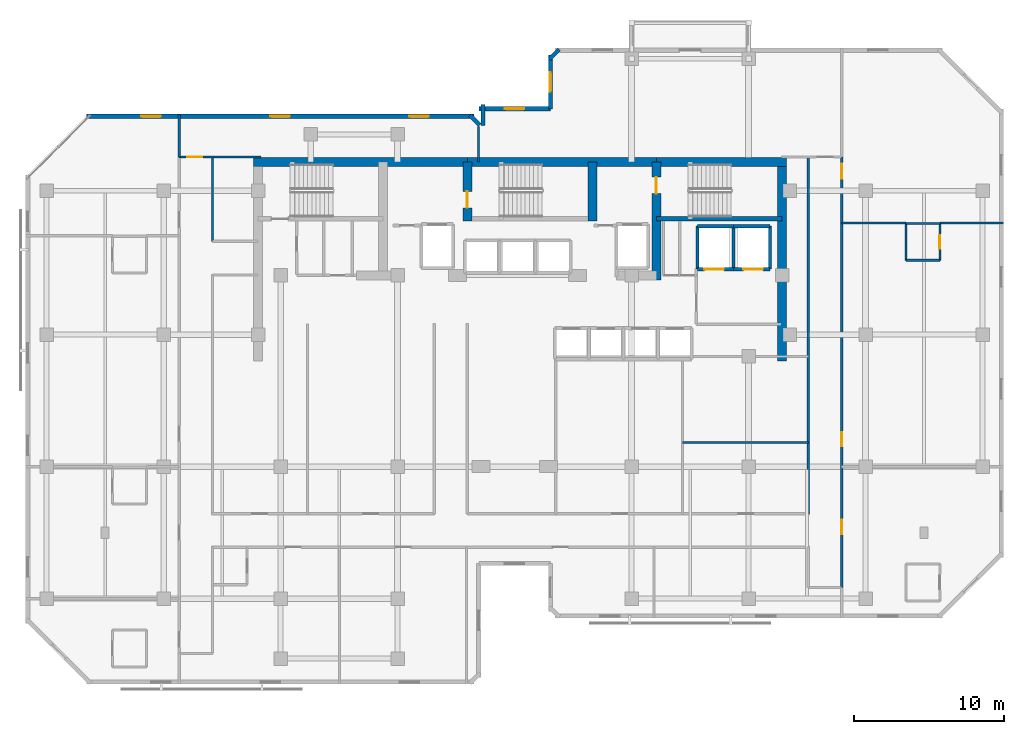
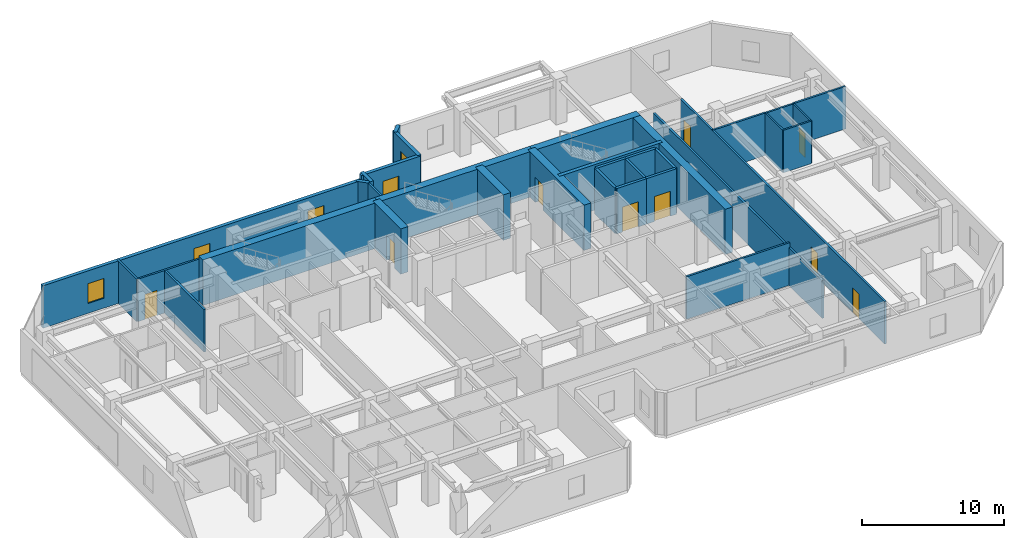
# One storey, part 7 of 10: 34 walls, 9 doors, 5 windows, 14 openings.
"""IFC4 building model written with IfcOpenShell, lengths in metres."""

from ifc_helpers import new_model, si_unit, direction, frame, frame_2d, origin, place, context, subcontext, project, spatial, rectangle, extrude, material, layer, layer_set, type_object, element, fill, save


model = new_model("IFC4")

# Units and contexts
model_context = context("Model", 3, precision=1e-05, world=origin(), true_north=direction((0.0, 1.0)))
body_context = subcontext(model_context, "Body", "Model", "MODEL_VIEW")
ifc_project = project(units=[si_unit("LENGTHUNIT", "METRE"), si_unit("AREAUNIT", "SQUARE_METRE"), si_unit("VOLUMEUNIT", "CUBIC_METRE"), si_unit("PLANEANGLEUNIT", "RADIAN"), si_unit("MASSUNIT", "GRAM", prefix="KILO")], contexts=[model_context])

# Site, building, storey
site_placement = place(None, origin())
site = spatial("IfcSite", under=ifc_project, at=site_placement, CompositionType="ELEMENT")
building_placement = place(site_placement, origin())
building = spatial("IfcBuilding", under=site, at=building_placement, Name="Kestravale Grand Hotel", CompositionType="ELEMENT")
storey_placement = place(building_placement, frame((0.0, 0.0, 220.199951171875)))
storey = spatial("IfcBuildingStorey", under=building, at=storey_placement, Name="L55", CompositionType="ELEMENT", Elevation=220.199951171875)

# Walls
ifc_material_1 = material(Name="Concrete f'c 50 MPa", Category="concrete")
ifc_layer_1 = layer(ifc_material_1, 0.60009765625)
ifc_layer_set_1 = layer_set([ifc_layer_1], Name="EW-CORE-600")
wall_type_1 = type_object("IfcWallType", Name="EW-CORE-600", PredefinedType="SHEAR", material=ifc_layer_set_1)
wall_1_placement = place(storey_placement, frame((21.60009765625, 40.320068359375, 0.0), z_axis=(0.0, 0.0, 1.0), x_axis=(1.0, 0.0, 0.0)))
element("IfcWall", 1, at=wall_1_placement, inside=storey, type_object=wall_type_1, Name="L55 core shear wall N1", PredefinedType="SHEAR", context=body_context, shape_type="SweptSolid", body=[
    extrude(rectangle(XDim=14.25, YDim=0.60009765625, at=frame_2d((7.125, 0.0))), origin(), (0.0, 0.0, 1.0), 3.900146484375),
])
wall_2_placement = place(storey_placement, frame((35.85009765625, 40.320068359375, 0.0), z_axis=(0.0, 0.0, 1.0), x_axis=(1.0, 0.0, 0.0)))
element("IfcWall", 2, at=wall_2_placement, inside=storey, type_object=wall_type_1, Name="L55 core shear wall N2", PredefinedType="SHEAR", context=body_context, shape_type="SweptSolid", body=[
    extrude(rectangle(XDim=12.599853515625, YDim=0.60009765625, at=frame_2d((6.2998046875, 0.0))), origin(), (0.0, 0.0, 1.0), 3.900146484375),
])
wall_3_placement = place(storey_placement, frame((48.449951171875, 40.320068359375, 0.0), z_axis=(0.0, 0.0, 1.0), x_axis=(1.0, 0.0, 0.0)))
element("IfcWall", 3, at=wall_3_placement, inside=storey, type_object=wall_type_1, Name="L55 core shear wall N3", PredefinedType="SHEAR", context=body_context, shape_type="SweptSolid", body=[
    extrude(rectangle(XDim=8.670166015625, YDim=0.60009765625, at=frame_2d((4.3349609375, 0.0))), origin(), (0.0, 0.0, 1.0), 3.900146484375),
])
wall_4_placement = place(storey_placement, frame((56.820068359375, 27.050048828125, 0.0), z_axis=(0.0, 0.0, 1.0), x_axis=(0.0, 1.0, 0.0)))
element("IfcWall", 4, at=wall_4_placement, inside=storey, type_object=wall_type_1, Name="L55 core shear wall E1", PredefinedType="SHEAR", context=body_context, shape_type="SweptSolid", body=[
    extrude(rectangle(XDim=13.570068359375, YDim=0.60009765625, at=frame_2d((6.78515625, 0.0))), origin(), (0.0, 0.0, 1.0), 3.900146484375),
])

# Wall, opening, door
wall_5_placement = place(storey_placement, frame((35.85009765625, 36.3701171875, 0.0), z_axis=(0.0, 0.0, 1.0), x_axis=(0.0, 1.0, 0.0)))
wall_5 = element("IfcWall", 5, at=wall_5_placement, inside=storey, type_object=wall_type_1, Name="L55 core shear wall X2", PredefinedType="SHEAR", context=body_context, shape_type="SweptSolid", body=[
    extrude(rectangle(XDim=3.949951171875, YDim=0.60009765625, at=frame_2d((1.97509765625, 0.0))), origin(), (0.0, 0.0, 1.0), 3.900146484375),
])
opening_1_placement = place(wall_5_placement, frame((0.8798828125, 0.0, 0.0)))
opening_1 = element("IfcOpeningElement", 6, at=opening_1_placement, cuts=wall_5, Name="Opening D-ST-1100", PredefinedType="OPENING", context=body_context, shape_type="SweptSolid", body=[
    extrude(rectangle(XDim=1.10009765625, YDim=2.14990234375, at=frame_2d((0.550048828125, 1.074951171875))), frame((0.0, 0.31005859375, 0.0), z_axis=(0.0, -1.0, 0.0), x_axis=(1.0, 0.0, 0.0)), (0.0, 0.0, 1.0), 0.6201171875),
])
ifc_material_2 = material(Name="Galvanised 90-minute fire-rated steel stair door", Category="steel")
door_type_1 = type_object("IfcDoorType", Name="D-ST-1100", OperationType="NOTDEFINED", PredefinedType="DOOR", material=ifc_material_2)
door_1_placement = place(opening_1_placement, origin())
door_1 = element("IfcDoor", 7, at=door_1_placement, inside=storey, type_object=door_type_1, Name="L55 Stair ST-2 FSAE fire door", OperationType="SINGLE_SWING_RIGHT", OverallHeight=2.14990234375, OverallWidth=1.10009765625, PredefinedType="DOOR", context=body_context, shape_type="SweptSolid", body=[
    extrude(rectangle(XDim=1.10009765625, YDim=2.14990234375, at=frame_2d((0.550048828125, 1.074951171875))), frame((0.0, 0.02490234375, 0.0), z_axis=(0.0, -1.0, 0.0), x_axis=(1.0, 0.0, 0.0)), (0.0, 0.0, 1.0), 0.050048828125),
])
fill(opening_1, door_1)

# Wall
wall_6_placement = place(storey_placement, frame((44.179931640625, 36.3701171875, 0.0), z_axis=(0.0, 0.0, 1.0), x_axis=(0.0, 1.0, 0.0)))
element("IfcWall", 8, at=wall_6_placement, inside=storey, type_object=wall_type_1, Name="L55 core shear wall X3", PredefinedType="SHEAR", context=body_context, shape_type="SweptSolid", body=[
    extrude(rectangle(XDim=3.949951171875, YDim=0.60009765625, at=frame_2d((1.97509765625, 0.0))), origin(), (0.0, 0.0, 1.0), 3.900146484375),
])

# Wall, opening, door
wall_7_placement = place(storey_placement, frame((48.449951171875, 32.449951171875, 0.0), z_axis=(0.0, 0.0, 1.0), x_axis=(0.0, 1.0, 0.0)))
wall_7 = element("IfcWall", 9, at=wall_7_placement, inside=storey, type_object=wall_type_1, Name="L55 core shear wall X4", PredefinedType="SHEAR", context=body_context, shape_type="SweptSolid", body=[
    extrude(rectangle(XDim=7.8701171875, YDim=0.60009765625, at=frame_2d((3.93505859375, 0.0))), origin(), (0.0, 0.0, 1.0), 3.900146484375),
])
opening_2_placement = place(wall_7_placement, frame((5.75, 0.0, 0.0)))
opening_2 = element("IfcOpeningElement", 10, at=opening_2_placement, cuts=wall_7, Name="Opening D-ST-1100", PredefinedType="OPENING", context=body_context, shape_type="SweptSolid", body=[
    extrude(rectangle(XDim=1.10009765625, YDim=2.14990234375, at=frame_2d((0.550048828125, 1.074951171875))), frame((0.0, 0.31005859375, 0.0), z_axis=(0.0, -1.0, 0.0), x_axis=(1.0, 0.0, 0.0)), (0.0, 0.0, 1.0), 0.6201171875),
])
door_2_placement = place(opening_2_placement, origin())
door_2 = element("IfcDoor", 11, at=door_2_placement, inside=storey, type_object=door_type_1, Name="L55 Stair ST-3 FSAE fire door", OperationType="SINGLE_SWING_RIGHT", OverallHeight=2.14990234375, OverallWidth=1.10009765625, PredefinedType="DOOR", context=body_context, shape_type="SweptSolid", body=[
    extrude(rectangle(XDim=1.10009765625, YDim=2.14990234375, at=frame_2d((0.550048828125, 1.074951171875))), frame((0.0, 0.02490234375, 0.0), z_axis=(0.0, -1.0, 0.0), x_axis=(1.0, 0.0, 0.0)), (0.0, 0.0, 1.0), 0.050048828125),
])
fill(opening_2, door_2)

# Wall
ifc_material_3 = material(Name="Precast concrete f'c 45 MPa", Category="concrete")
ifc_layer_2 = layer(ifc_material_3, 0.280029296875)
ifc_layer_set_2 = layer_set([ifc_layer_2], Name="EW-PREC-280")
wall_type_2 = type_object("IfcWallType", Name="EW-PREC-280", PredefinedType="SOLIDWALL", material=ifc_layer_set_2)
wall_8_placement = place(storey_placement, frame((41.977294921875, 47.829345703125, 0.0), z_axis=(0.0, 0.0, 1.0), x_axis=(-0.706975312048, -0.707238225886, 0.0)))
element("IfcWall", 12, at=wall_8_placement, inside=storey, type_object=wall_type_2, Name="L55 fluted precast facade wall 12", PredefinedType="SOLIDWALL", context=body_context, shape_type="SweptSolid", body=[
    extrude(rectangle(XDim=0.9287109375, YDim=0.280029296875, at=frame_2d((0.46435546875, 0.0))), origin(), (0.0, 0.0, 1.0), 3.650146484375),
])

# Wall, opening, window
wall_9_placement = place(storey_placement, frame((41.389892578125, 47.43994140625, 0.0), z_axis=(0.0, 0.0, 1.0), x_axis=(0.0, -1.0, 0.0)))
wall_9 = element("IfcWall", 13, at=wall_9_placement, inside=storey, type_object=wall_type_2, Name="L55 fluted precast facade wall 13", PredefinedType="SOLIDWALL", context=body_context, shape_type="SweptSolid", body=[
    extrude(rectangle(XDim=3.579833984375, YDim=0.280029296875, at=frame_2d((1.7900390625, 0.0))), origin(), (0.0, 0.0, 1.0), 3.650146484375),
])
opening_3_placement = place(wall_9_placement, frame((1.139892578125, 0.0, 0.85009765625)))
opening_3 = element("IfcOpeningElement", 14, at=opening_3_placement, cuts=wall_9, Name="Opening W-GUEST-1300", PredefinedType="OPENING", context=body_context, shape_type="SweptSolid", body=[
    extrude(rectangle(XDim=1.300048828125, YDim=1.699951171875, at=frame_2d((0.64990234375, 0.85009765625))), frame((0.0, 0.14990234375, 0.0), z_axis=(0.0, -1.0, 0.0), x_axis=(1.0, 0.0, 0.0)), (0.0, 0.0, 1.0), 0.300048828125),
])
ifc_material_4 = material(Name="Insulated low-E double glazing in aluminium frame", Category="aluminium")
window_type = type_object("IfcWindowType", Name="W-GUEST-1300", PartitioningType="SINGLE_PANEL", PredefinedType="WINDOW", material=ifc_material_4)
window_1_placement = place(opening_3_placement, origin())
window_1 = element("IfcWindow", 15, at=window_1_placement, inside=storey, type_object=window_type, Name="L55 exterior window 13.1", OverallHeight=1.699951171875, OverallWidth=1.300048828125, PartitioningType="SINGLE_PANEL", PredefinedType="WINDOW", context=body_context, shape_type="SweptSolid", body=[
    extrude(rectangle(XDim=1.300048828125, YDim=1.699951171875, at=frame_2d((0.64990234375, 0.85009765625))), frame((0.0, 0.030029296875, 0.0), z_axis=(0.0, -1.0, 0.0), x_axis=(1.0, 0.0, 0.0)), (0.0, 0.0, 1.0), 0.06005859375),
])
fill(opening_3, window_1)

wall_10_placement = place(storey_placement, frame((41.389892578125, 43.860107421875, 0.0), z_axis=(0.0, 0.0, 1.0), x_axis=(-1.0, 0.0, 0.0)))
wall_10 = element("IfcWall", 16, at=wall_10_placement, inside=storey, type_object=wall_type_2, Name="L55 fluted precast facade wall 14", PredefinedType="SOLIDWALL", context=body_context, shape_type="SweptSolid", body=[
    extrude(rectangle(XDim=4.77978515625, YDim=0.280029296875, at=frame_2d((2.389892578125, 0.0))), origin(), (0.0, 0.0, 1.0), 3.650146484375),
])
opening_4_placement = place(wall_10_placement, frame((1.739990234375, 0.0, 0.85009765625)))
opening_4 = element("IfcOpeningElement", 17, at=opening_4_placement, cuts=wall_10, Name="Opening W-GUEST-1300", PredefinedType="OPENING", context=body_context, shape_type="SweptSolid", body=[
    extrude(rectangle(XDim=1.300048828125, YDim=1.699951171875, at=frame_2d((0.64990234375, 0.85009765625))), frame((0.0, 0.14990234375, 0.0), z_axis=(0.0, -1.0, 0.0), x_axis=(1.0, 0.0, 0.0)), (0.0, 0.0, 1.0), 0.300048828125),
])
window_2_placement = place(opening_4_placement, origin())
window_2 = element("IfcWindow", 18, at=window_2_placement, inside=storey, type_object=window_type, Name="L55 exterior window 14.1", OverallHeight=1.699951171875, OverallWidth=1.300048828125, PartitioningType="SINGLE_PANEL", PredefinedType="WINDOW", context=body_context, shape_type="SweptSolid", body=[
    extrude(rectangle(XDim=1.300048828125, YDim=1.699951171875, at=frame_2d((0.64990234375, 0.85009765625))), frame((0.0, 0.030029296875, 0.0), z_axis=(0.0, -1.0, 0.0), x_axis=(1.0, 0.0, 0.0)), (0.0, 0.0, 1.0), 0.06005859375),
])
fill(opening_4, window_2)

# Walls
wall_11_placement = place(storey_placement, frame((36.889892578125, 44.139892578125, 0.0), z_axis=(0.0, 0.0, 1.0), x_axis=(0.0, -1.0, 0.0)))
element("IfcWall", 19, at=wall_11_placement, inside=storey, type_object=wall_type_2, Name="L55 fluted precast facade wall 15", PredefinedType="SOLIDWALL", context=body_context, shape_type="SweptSolid", body=[
    extrude(rectangle(XDim=1.3798828125, YDim=0.280029296875, at=frame_2d((0.68994140625, 0.0))), origin(), (0.0, 0.0, 1.0), 3.650146484375),
])
wall_12_placement = place(storey_placement, frame((36.67919921875, 42.772705078125, 0.0), z_axis=(0.0, 0.0, 1.0), x_axis=(-0.707106781187, 0.707106781187, 0.0)))
element("IfcWall", 20, at=wall_12_placement, inside=storey, type_object=wall_type_2, Name="L55 fluted precast facade wall 16", PredefinedType="SOLIDWALL", context=body_context, shape_type="SweptSolid", body=[
    extrude(rectangle(XDim=0.928466796875, YDim=0.280029296875, at=frame_2d((0.46435546875, 0.0))), origin(), (0.0, 0.0, 1.0), 3.650146484375),
])

# Wall, openings, windows
wall_13_placement = place(storey_placement, frame((36.2900390625, 43.360107421875, 0.0), z_axis=(0.0, 0.0, 1.0), x_axis=(-1.0, 0.0, 0.0)))
wall_13 = element("IfcWall", 21, at=wall_13_placement, inside=storey, type_object=wall_type_2, Name="L55 fluted precast facade wall 17", PredefinedType="SOLIDWALL", context=body_context, shape_type="SweptSolid", body=[
    extrude(rectangle(XDim=25.830078125, YDim=0.280029296875, at=frame_2d((12.9150390625, 0.0))), origin(), (0.0, 0.0, 1.0), 3.650146484375),
])
opening_5_placement = place(wall_13_placement, frame((3.0048828125, 0.0, 0.85009765625)))
opening_5 = element("IfcOpeningElement", 22, at=opening_5_placement, cuts=wall_13, Name="Opening W-GUEST-1300", PredefinedType="OPENING", context=body_context, shape_type="SweptSolid", body=[
    extrude(rectangle(XDim=1.300048828125, YDim=1.699951171875, at=frame_2d((0.64990234375, 0.85009765625))), frame((0.0, 0.14990234375, 0.0), z_axis=(0.0, -1.0, 0.0), x_axis=(1.0, 0.0, 0.0)), (0.0, 0.0, 1.0), 0.300048828125),
])
opening_6_placement = place(wall_13_placement, frame((12.264892578125, 0.0, 0.85009765625)))
opening_6 = element("IfcOpeningElement", 23, at=opening_6_placement, cuts=wall_13, Name="Opening W-GUEST-1300", PredefinedType="OPENING", context=body_context, shape_type="SweptSolid", body=[
    extrude(rectangle(XDim=1.300048828125, YDim=1.699951171875, at=frame_2d((0.64990234375, 0.85009765625))), frame((0.0, 0.14990234375, 0.0), z_axis=(0.0, -1.0, 0.0), x_axis=(1.0, 0.0, 0.0)), (0.0, 0.0, 1.0), 0.300048828125),
])
opening_7_placement = place(wall_13_placement, frame((20.875, 0.0, 0.85009765625)))
opening_7 = element("IfcOpeningElement", 24, at=opening_7_placement, cuts=wall_13, Name="Opening W-GUEST-1300", PredefinedType="OPENING", context=body_context, shape_type="SweptSolid", body=[
    extrude(rectangle(XDim=1.300048828125, YDim=1.699951171875, at=frame_2d((0.64990234375, 0.85009765625))), frame((0.0, 0.14990234375, 0.0), z_axis=(0.0, -1.0, 0.0), x_axis=(1.0, 0.0, 0.0)), (0.0, 0.0, 1.0), 0.300048828125),
])
window_3_placement = place(opening_5_placement, origin())
window_3 = element("IfcWindow", 25, at=window_3_placement, inside=storey, type_object=window_type, Name="L55 exterior window 17.1", OverallHeight=1.699951171875, OverallWidth=1.300048828125, PartitioningType="SINGLE_PANEL", PredefinedType="WINDOW", context=body_context, shape_type="SweptSolid", body=[
    extrude(rectangle(XDim=1.300048828125, YDim=1.699951171875, at=frame_2d((0.64990234375, 0.85009765625))), frame((0.0, 0.030029296875, 0.0), z_axis=(0.0, -1.0, 0.0), x_axis=(1.0, 0.0, 0.0)), (0.0, 0.0, 1.0), 0.06005859375),
])
fill(opening_5, window_3)
window_4_placement = place(opening_6_placement, origin())
window_4 = element("IfcWindow", 26, at=window_4_placement, inside=storey, type_object=window_type, Name="L55 exterior window 17.2", OverallHeight=1.699951171875, OverallWidth=1.300048828125, PartitioningType="SINGLE_PANEL", PredefinedType="WINDOW", context=body_context, shape_type="SweptSolid", body=[
    extrude(rectangle(XDim=1.300048828125, YDim=1.699951171875, at=frame_2d((0.64990234375, 0.85009765625))), frame((0.0, 0.030029296875, 0.0), z_axis=(0.0, -1.0, 0.0), x_axis=(1.0, 0.0, 0.0)), (0.0, 0.0, 1.0), 0.06005859375),
])
fill(opening_6, window_4)
window_5_placement = place(opening_7_placement, origin())
window_5 = element("IfcWindow", 27, at=window_5_placement, inside=storey, type_object=window_type, Name="L55 exterior window 17.3", OverallHeight=1.699951171875, OverallWidth=1.300048828125, PartitioningType="SINGLE_PANEL", PredefinedType="WINDOW", context=body_context, shape_type="SweptSolid", body=[
    extrude(rectangle(XDim=1.300048828125, YDim=1.699951171875, at=frame_2d((0.64990234375, 0.85009765625))), frame((0.0, 0.030029296875, 0.0), z_axis=(0.0, -1.0, 0.0), x_axis=(1.0, 0.0, 0.0)), (0.0, 0.0, 1.0), 0.06005859375),
])
fill(opening_7, window_5)

# Walls
ifc_material_5 = material(Name="Concrete f'c 45 MPa", Category="concrete")
ifc_layer_3 = layer(ifc_material_5, 0.300048828125)
ifc_layer_set_3 = layer_set([ifc_layer_3], Name="EW-STAIR-300")
wall_type_3 = type_object("IfcWallType", Name="EW-STAIR-300", PredefinedType="SHEAR", material=ifc_layer_set_3)
wall_14_placement = place(storey_placement, frame((48.449951171875, 36.52001953125, 0.0), z_axis=(0.0, 0.0, 1.0), x_axis=(1.0, 0.0, 0.0)))
element("IfcWall", 28, at=wall_14_placement, inside=storey, type_object=wall_type_3, Name="L55 stair enclosure shear wall SST3", PredefinedType="SHEAR", context=body_context, shape_type="SweptSolid", body=[
    extrude(rectangle(XDim=8.3701171875, YDim=0.300048828125, at=frame_2d((4.18505859375, 0.0))), origin(), (0.0, 0.0, 1.0), 3.900146484375),
])
ifc_material_6 = material(Name="Acoustic fire-rated gypsum board partition", Category="other")
ifc_layer_4 = layer(ifc_material_6, 0.159912109375)
ifc_layer_set_4 = layer_set([ifc_layer_4], Name="IW-CORR-160")
wall_type_4 = type_object("IfcWallType", Name="IW-CORR-160", PredefinedType="PARTITIONING", material=ifc_layer_set_4)
wall_15_placement = place(storey_placement, frame((18.860107421875, 35.02001953125, 0.0), z_axis=(0.0, 0.0, 1.0), x_axis=(0.0, 1.0, 0.0)))
element("IfcWall", 29, at=wall_15_placement, inside=storey, type_object=wall_type_4, Name="W-L55-SW-EN", PredefinedType="PARTITIONING", context=body_context, shape_type="SweptSolid", body=[
    extrude(rectangle(XDim=5.6298828125, YDim=0.159912109375, at=frame_2d((2.81494140625, 0.0))), origin(), (0.0, 0.0, 1.0), 3.650146484375),
])

# Wall, openings, doors
wall_16_placement = place(storey_placement, frame((60.81005859375, 11.949951171875, 0.0), z_axis=(0.0, 0.0, 1.0), x_axis=(0.0, 1.0, 0.0)))
wall_16 = element("IfcWall", 30, at=wall_16_placement, inside=storey, type_object=wall_type_4, Name="W-L55-SE-E", PredefinedType="PARTITIONING", context=body_context, shape_type="SweptSolid", body=[
    extrude(rectangle(XDim=28.699951171875, YDim=0.159912109375, at=frame_2d((14.35009765625, 0.0))), origin(), (0.0, 0.0, 1.0), 3.650146484375),
])
opening_8_placement = place(wall_16_placement, frame((3.550048828125, 0.0, 0.0)))
opening_8 = element("IfcOpeningElement", 31, at=opening_8_placement, cuts=wall_16, Name="Opening D-GUEST-950", PredefinedType="OPENING", context=body_context, shape_type="SweptSolid", body=[
    extrude(rectangle(XDim=0.949951171875, YDim=2.10009765625, at=frame_2d((0.47509765625, 1.050048828125))), frame((0.0, 0.08984375, 0.0), z_axis=(0.0, -1.0, 0.0), x_axis=(1.0, 0.0, 0.0)), (0.0, 0.0, 1.0), 0.179931640625),
])
opening_9_placement = place(wall_16_placement, frame((9.40869140625, 0.0, 0.0)))
opening_9 = element("IfcOpeningElement", 32, at=opening_9_placement, cuts=wall_16, Name="Opening D-GUEST-950", PredefinedType="OPENING", context=body_context, shape_type="SweptSolid", body=[
    extrude(rectangle(XDim=0.949951171875, YDim=2.10009765625, at=frame_2d((0.47509765625, 1.050048828125))), frame((0.0, 0.08984375, 0.0), z_axis=(0.0, -1.0, 0.0), x_axis=(1.0, 0.0, 0.0)), (0.0, 0.0, 1.0), 0.179931640625),
])
opening_10_placement = place(wall_16_placement, frame((27.260009765625, 0.0, 0.0)))
opening_10 = element("IfcOpeningElement", 33, at=opening_10_placement, cuts=wall_16, Name="Opening D-GUEST-1000", PredefinedType="OPENING", context=body_context, shape_type="SweptSolid", body=[
    extrude(rectangle(XDim=1.0, YDim=2.14990234375, at=frame_2d((0.5, 1.074951171875))), frame((0.0, 0.08984375, 0.0), z_axis=(0.0, -1.0, 0.0), x_axis=(1.0, 0.0, 0.0)), (0.0, 0.0, 1.0), 0.179931640625),
])
ifc_material_7 = material(Name="Accessible walnut veneer hotel entrance fire door", Category="wood")
door_type_2 = type_object("IfcDoorType", Name="D-GUEST-1000", OperationType="NOTDEFINED", PredefinedType="DOOR", material=ifc_material_7)
door_3_placement = place(opening_10_placement, origin())
door_3 = element("IfcDoor", 34, at=door_3_placement, inside=storey, type_object=door_type_2, Name="D-L55-AMEW", OperationType="SINGLE_SWING_RIGHT", OverallHeight=2.14990234375, OverallWidth=1.0, PredefinedType="DOOR", context=body_context, shape_type="SweptSolid", body=[
    extrude(rectangle(XDim=1.0, YDim=2.14990234375, at=frame_2d((0.5, 1.074951171875))), frame((0.0, 0.02490234375, 0.0), z_axis=(0.0, -1.0, 0.0), x_axis=(1.0, 0.0, 0.0)), (0.0, 0.0, 1.0), 0.050048828125),
])
fill(opening_10, door_3)
ifc_material_8 = material(Name="Walnut veneer hotel guestroom entrance fire door", Category="wood")
door_type_3 = type_object("IfcDoorType", Name="D-GUEST-950", OperationType="NOTDEFINED", PredefinedType="DOOR", material=ifc_material_8)
door_4_placement = place(opening_8_placement, origin())
door_4 = element("IfcDoor", 35, at=door_4_placement, inside=storey, type_object=door_type_3, Name="D-L55-U05-ENT", OperationType="SINGLE_SWING_LEFT", OverallHeight=2.10009765625, OverallWidth=0.949951171875, PredefinedType="DOOR", context=body_context, shape_type="SweptSolid", body=[
    extrude(rectangle(XDim=0.949951171875, YDim=2.10009765625, at=frame_2d((0.47509765625, 1.050048828125))), frame((0.0, 0.02490234375, 0.0), z_axis=(0.0, -1.0, 0.0), x_axis=(1.0, 0.0, 0.0)), (0.0, 0.0, 1.0), 0.050048828125),
])
fill(opening_8, door_4)
door_5_placement = place(opening_9_placement, origin())
door_5 = element("IfcDoor", 36, at=door_5_placement, inside=storey, type_object=door_type_3, Name="D-L55-U06-ENT", OperationType="SINGLE_SWING_LEFT", OverallHeight=2.10009765625, OverallWidth=0.949951171875, PredefinedType="DOOR", context=body_context, shape_type="SweptSolid", body=[
    extrude(rectangle(XDim=0.949951171875, YDim=2.10009765625, at=frame_2d((0.47509765625, 1.050048828125))), frame((0.0, 0.02490234375, 0.0), z_axis=(0.0, -1.0, 0.0), x_axis=(1.0, 0.0, 0.0)), (0.0, 0.0, 1.0), 0.050048828125),
])
fill(opening_9, door_5)

# Walls
wall_17_placement = place(storey_placement, frame((58.590087890625, 16.860107421875, 0.0), z_axis=(0.0, 0.0, 1.0), x_axis=(0.0, 1.0, 0.0)))
element("IfcWall", 37, at=wall_17_placement, inside=storey, type_object=wall_type_4, Name="W-L55-SE-WU", PredefinedType="PARTITIONING", context=body_context, shape_type="SweptSolid", body=[
    extrude(rectangle(XDim=23.789794921875, YDim=0.159912109375, at=frame_2d((11.89501953125, 0.0))), origin(), (0.0, 0.0, 1.0), 3.24609375),
])
ifc_material_9 = material(Name="Moisture-resistant tile-backer plumbing chase wall", Category="other")
ifc_layer_5 = layer(ifc_material_9, 0.139892578125)
ifc_layer_set_5 = layer_set([ifc_layer_5], Name="IW-PLB-140")
wall_type_5 = type_object("IfcWallType", Name="IW-PLB-140", PredefinedType="PLUMBINGWALL", material=ifc_layer_set_5)
wall_18_placement = place(storey_placement, frame((65.10009765625, 33.760009765625, 0.0), z_axis=(0.0, 0.0, 1.0), x_axis=(0.0, 1.0, 0.0)))
element("IfcWall", 38, at=wall_18_placement, inside=storey, type_object=wall_type_5, Name="W-L55-U06-BW", PredefinedType="PLUMBINGWALL", context=body_context, shape_type="SweptSolid", body=[
    extrude(rectangle(XDim=2.449951171875, YDim=0.139892578125, at=frame_2d((1.22509765625, 0.0))), origin(), (0.0, 0.0, 1.0), 3.650146484375),
])

# Wall, opening, door
wall_19_placement = place(storey_placement, frame((67.35009765625, 33.760009765625, 0.0), z_axis=(0.0, 0.0, 1.0), x_axis=(0.0, 1.0, 0.0)))
wall_19 = element("IfcWall", 39, at=wall_19_placement, inside=storey, type_object=wall_type_5, Name="W-L55-U06-BE", PredefinedType="PLUMBINGWALL", context=body_context, shape_type="SweptSolid", body=[
    extrude(rectangle(XDim=2.449951171875, YDim=0.139892578125, at=frame_2d((1.22509765625, 0.0))), origin(), (0.0, 0.0, 1.0), 3.650146484375),
])
opening_11_placement = place(wall_19_placement, frame((0.784912109375, 0.0, 0.0)))
opening_11 = element("IfcOpeningElement", 40, at=opening_11_placement, cuts=wall_19, Name="Opening D-BATH-880", PredefinedType="OPENING", context=body_context, shape_type="SweptSolid", body=[
    extrude(rectangle(XDim=0.8798828125, YDim=2.050048828125, at=frame_2d((0.43994140625, 1.02490234375))), frame((0.0, 0.079833984375, 0.0), z_axis=(0.0, -1.0, 0.0), x_axis=(1.0, 0.0, 0.0)), (0.0, 0.0, 1.0), 0.159912109375),
])
ifc_material_10 = material(Name="Moisture-sealed walnut en-suite bathroom door", Category="wood")
door_type_4 = type_object("IfcDoorType", Name="D-BATH-880", OperationType="NOTDEFINED", PredefinedType="DOOR", material=ifc_material_10)
door_6_placement = place(opening_11_placement, origin())
door_6 = element("IfcDoor", 41, at=door_6_placement, inside=storey, type_object=door_type_4, Name="D-L55-U06-BATH", OperationType="SINGLE_SWING_RIGHT", OverallHeight=2.050048828125, OverallWidth=0.8798828125, PredefinedType="DOOR", context=body_context, shape_type="SweptSolid", body=[
    extrude(rectangle(XDim=0.8798828125, YDim=2.050048828125, at=frame_2d((0.43994140625, 1.02490234375))), frame((0.0, 0.02490234375, 0.0), z_axis=(0.0, -1.0, 0.0), x_axis=(1.0, 0.0, 0.0)), (0.0, 0.0, 1.0), 0.050048828125),
])
fill(opening_11, door_6)

# Walls
for number, where, z_axis, x_axis, name in (
    (42, (65.10009765625, 33.760009765625, 0.0), (0.0, 0.0, 1.0), (1.0, 0.0, 0.0), "W-L55-U06-BS"),
    (43, (65.10009765625, 36.2099609375, 0.0), (0.0, 0.0, 1.0), (1.0, 0.0, 0.0), "W-L55-U06-BN"),
):
    element("IfcWall", number, at=place(storey_placement, frame(where, z_axis=z_axis, x_axis=x_axis)), inside=storey, type_object=wall_type_5, Name=name, PredefinedType="PLUMBINGWALL", context=body_context, shape_type="SweptSolid", body=[
        extrude(rectangle(XDim=2.25, YDim=0.139892578125, at=frame_2d((1.125, 0.0))), origin(), (0.0, 0.0, 1.0), 3.650146484375),
    ])
ifc_material_11 = material(Name="Concrete f'c 45 MPa", Category="concrete")
ifc_layer_6 = layer(ifc_material_11, 0.199951171875)
ifc_layer_set_6 = layer_set([ifc_layer_6], Name="IW-SHAFT-200")
wall_type_6 = type_object("IfcWallType", Name="IW-SHAFT-200", PredefinedType="SHEAR", material=ifc_layer_set_6)
for number, where, z_axis, x_axis, name in (
    (44, (51.179931640625, 33.169921875, 0.0), (0.0, 0.0, 1.0), (0.0, 1.0, 0.0), "L55 SL-1 west shaft wall"),
    (45, (53.60009765625, 33.169921875, 0.0), (0.0, 0.0, 1.0), (0.0, 1.0, 0.0), "L55 SL-2 west shaft wall"),
    (46, (56.02001953125, 33.169921875, 0.0), (0.0, 0.0, 1.0), (0.0, 1.0, 0.0), "L55 SL-2 east shaft wall"),
):
    element("IfcWall", number, at=place(storey_placement, frame(where, z_axis=z_axis, x_axis=x_axis)), inside=storey, type_object=wall_type_6, Name=name, PredefinedType="SHEAR", context=body_context, shape_type="SweptSolid", body=[
        extrude(rectangle(XDim=2.860107421875, YDim=0.199951171875, at=frame_2d((1.43017578125, 0.0))), origin(), (0.0, 0.0, 1.0), 3.900146484375),
    ])
ifc_material_12 = material(Name="Concrete f'c 45 MPa", Category="concrete")
ifc_layer_7 = layer(ifc_material_12, 0.219970703125)
ifc_layer_set_7 = layer_set([ifc_layer_7], Name="IW-SHAFT-220")
wall_type_7 = type_object("IfcWallType", Name="IW-SHAFT-220", PredefinedType="SHEAR", material=ifc_layer_set_7)
wall_20_placement = place(storey_placement, frame((51.179931640625, 36.030029296875, 0.0), z_axis=(0.0, 0.0, 1.0), x_axis=(1.0, 0.0, 0.0)))
element("IfcWall", 47, at=wall_20_placement, inside=storey, type_object=wall_type_7, Name="L55 SL-1 north shaft wall", PredefinedType="SHEAR", context=body_context, shape_type="SweptSolid", body=[
    extrude(rectangle(XDim=2.420166015625, YDim=0.219970703125, at=frame_2d((1.2099609375, 0.0))), origin(), (0.0, 0.0, 1.0), 3.900146484375),
])

# Wall, opening, door
wall_21_placement = place(storey_placement, frame((51.179931640625, 33.169921875, 0.0), z_axis=(0.0, 0.0, 1.0), x_axis=(1.0, 0.0, 0.0)))
wall_21 = element("IfcWall", 48, at=wall_21_placement, inside=storey, type_object=wall_type_7, Name="L55 SL-1 south shaft wall", PredefinedType="SHEAR", context=body_context, shape_type="SweptSolid", body=[
    extrude(rectangle(XDim=2.420166015625, YDim=0.219970703125, at=frame_2d((1.2099609375, 0.0))), origin(), (0.0, 0.0, 1.0), 3.900146484375),
])
opening_12_placement = place(wall_21_placement, frame((0.469970703125, 0.0, 0.0)))
opening_12 = element("IfcOpeningElement", 49, at=opening_12_placement, cuts=wall_21, Name="Opening LD-SVC-1300", PredefinedType="OPENING", context=body_context, shape_type="SweptSolid", body=[
    extrude(rectangle(XDim=1.300048828125, YDim=2.14990234375, at=frame_2d((0.64990234375, 1.074951171875))), frame((0.0, 0.119873046875, 0.0), z_axis=(0.0, -1.0, 0.0), x_axis=(1.0, 0.0, 0.0)), (0.0, 0.0, 1.0), 0.239990234375),
])
ifc_material_13 = material(Name="Heavy-duty service sliding elevator landing door", Category="steel")
door_type_5 = type_object("IfcDoorType", Name="LD-SVC-1300", OperationType="NOTDEFINED", PredefinedType="DOOR", material=ifc_material_13)
door_7_placement = place(opening_12_placement, origin())
door_7 = element("IfcDoor", 50, at=door_7_placement, inside=storey, type_object=door_type_5, Name="L55 SL-1 elevator landing sliding door", OperationType="DOUBLE_DOOR_SLIDING", OverallHeight=2.14990234375, OverallWidth=1.300048828125, PredefinedType="DOOR", context=body_context, shape_type="SweptSolid", body=[
    extrude(rectangle(XDim=1.300048828125, YDim=2.14990234375, at=frame_2d((0.64990234375, 1.074951171875))), frame((0.0, 0.02490234375, 0.0), z_axis=(0.0, -1.0, 0.0), x_axis=(1.0, 0.0, 0.0)), (0.0, 0.0, 1.0), 0.050048828125),
])
fill(opening_12, door_7)

# Wall
wall_22_placement = place(storey_placement, frame((53.60009765625, 36.030029296875, 0.0), z_axis=(0.0, 0.0, 1.0), x_axis=(1.0, 0.0, 0.0)))
element("IfcWall", 51, at=wall_22_placement, inside=storey, type_object=wall_type_7, Name="L55 SL-2 north shaft wall", PredefinedType="SHEAR", context=body_context, shape_type="SweptSolid", body=[
    extrude(rectangle(XDim=2.419921875, YDim=0.219970703125, at=frame_2d((1.2099609375, 0.0))), origin(), (0.0, 0.0, 1.0), 3.900146484375),
])

# Wall, opening, door
wall_23_placement = place(storey_placement, frame((53.60009765625, 33.169921875, 0.0), z_axis=(0.0, 0.0, 1.0), x_axis=(1.0, 0.0, 0.0)))
wall_23 = element("IfcWall", 52, at=wall_23_placement, inside=storey, type_object=wall_type_7, Name="L55 SL-2 south shaft wall", PredefinedType="SHEAR", context=body_context, shape_type="SweptSolid", body=[
    extrude(rectangle(XDim=2.419921875, YDim=0.219970703125, at=frame_2d((1.2099609375, 0.0))), origin(), (0.0, 0.0, 1.0), 3.900146484375),
])
opening_13_placement = place(wall_23_placement, frame((0.64990234375, 0.0, 0.0)))
opening_13 = element("IfcOpeningElement", 53, at=opening_13_placement, cuts=wall_23, Name="Opening LD-SVC-1300", PredefinedType="OPENING", context=body_context, shape_type="SweptSolid", body=[
    extrude(rectangle(XDim=1.300048828125, YDim=2.14990234375, at=frame_2d((0.64990234375, 1.074951171875))), frame((0.0, 0.119873046875, 0.0), z_axis=(0.0, -1.0, 0.0), x_axis=(1.0, 0.0, 0.0)), (0.0, 0.0, 1.0), 0.239990234375),
])
door_8_placement = place(opening_13_placement, origin())
door_8 = element("IfcDoor", 54, at=door_8_placement, inside=storey, type_object=door_type_5, Name="L55 SL-2 elevator landing sliding door", OperationType="DOUBLE_DOOR_SLIDING", OverallHeight=2.14990234375, OverallWidth=1.300048828125, PredefinedType="DOOR", context=body_context, shape_type="SweptSolid", body=[
    extrude(rectangle(XDim=1.300048828125, YDim=2.14990234375, at=frame_2d((0.64990234375, 1.074951171875))), frame((0.0, 0.02490234375, 0.0), z_axis=(0.0, -1.0, 0.0), x_axis=(1.0, 0.0, 0.0)), (0.0, 0.0, 1.0), 0.050048828125),
])
fill(opening_13, door_8)

ifc_material_14 = material(Name="Double-stud STC 52 acoustic demising partition", Category="other")
ifc_layer_8 = layer(ifc_material_14, 0.14990234375)
ifc_layer_set_8 = layer_set([ifc_layer_8], Name="IW-UNIT-150")
wall_type_8 = type_object("IfcWallType", Name="IW-UNIT-150", PredefinedType="PARTITIONING", material=ifc_layer_set_8)
wall_24_placement = place(storey_placement, frame((16.639892578125, 40.64990234375, 0.0), z_axis=(0.0, 0.0, 1.0), x_axis=(1.0, 0.0, 0.0)))
wall_24 = element("IfcWall", 55, at=wall_24_placement, inside=storey, type_object=wall_type_8, Name="W-L55-SW-N", PredefinedType="PARTITIONING", context=body_context, shape_type="SweptSolid", body=[
    extrude(rectangle(XDim=5.460205078125, YDim=0.14990234375, at=frame_2d((2.72998046875, 0.0))), origin(), (0.0, 0.0, 1.0), 3.650146484375),
])
opening_14_placement = place(wall_24_placement, frame((0.550048828125, 0.0, 0.0)))
opening_14 = element("IfcOpeningElement", 56, at=opening_14_placement, cuts=wall_24, Name="Opening D-GUEST-1000", PredefinedType="OPENING", context=body_context, shape_type="SweptSolid", body=[
    extrude(rectangle(XDim=1.0, YDim=2.14990234375, at=frame_2d((0.5, 1.074951171875))), frame((0.0, 0.0849609375, 0.0), z_axis=(0.0, -1.0, 0.0), x_axis=(1.0, 0.0, 0.0)), (0.0, 0.0, 1.0), 0.169921875),
])
door_9_placement = place(opening_14_placement, origin())
door_9 = element("IfcDoor", 57, at=door_9_placement, inside=storey, type_object=door_type_2, Name="L55 NW Gallery Door", OperationType="SINGLE_SWING_RIGHT", OverallHeight=2.14990234375, OverallWidth=1.0, PredefinedType="DOOR", context=body_context, shape_type="SweptSolid", body=[
    extrude(rectangle(XDim=1.0, YDim=2.14990234375, at=frame_2d((0.5, 1.074951171875))), frame((0.0, 0.02490234375, 0.0), z_axis=(0.0, -1.0, 0.0), x_axis=(1.0, 0.0, 0.0)), (0.0, 0.0, 1.0), 0.050048828125),
])
fill(opening_14, door_9)

# Walls
wall_25_placement = place(storey_placement, frame((50.199951171875, 21.6201171875, 0.0), z_axis=(0.0, 0.0, 1.0), x_axis=(1.0, 0.0, 0.0)))
element("IfcWall", 58, at=wall_25_placement, inside=storey, type_object=wall_type_8, Name="W-L55-RCLE-H", PredefinedType="PARTITIONING", context=body_context, shape_type="SweptSolid", body=[
    extrude(rectangle(XDim=8.39013671875, YDim=0.14990234375, at=frame_2d((4.195068359375, 0.0))), origin(), (0.0, 0.0, 1.0), 3.650146484375),
])
wall_26_placement = place(storey_placement, frame((16.639892578125, 40.64990234375, 0.0), z_axis=(0.0, 0.0, 1.0), x_axis=(0.0, 1.0, 0.0)))
element("IfcWall", 59, at=wall_26_placement, inside=storey, type_object=wall_type_8, Name="W-L55-NGW-W", PredefinedType="PARTITIONING", context=body_context, shape_type="SweptSolid", body=[
    extrude(rectangle(XDim=2.830078125, YDim=0.14990234375, at=frame_2d((1.4150390625, 0.0))), origin(), (0.0, 0.0, 1.0), 3.650146484375),
])
wall_27_placement = place(storey_placement, frame((36.60009765625, 40.320068359375, 0.0), z_axis=(0.0, 0.0, 1.0), x_axis=(0.0, 1.0, 0.0)))
element("IfcWall", 60, at=wall_27_placement, inside=storey, type_object=wall_type_8, Name="W-L55-NGM", PredefinedType="PARTITIONING", context=body_context, shape_type="SweptSolid", body=[
    extrude(rectangle(XDim=2.344970703125, YDim=0.14990234375, at=frame_2d((1.17236328125, 0.0))), origin(), (0.0, 0.0, 1.0), 3.650146484375),
])
wall_28_placement = place(storey_placement, frame((60.81005859375, 36.25, 0.0), z_axis=(0.0, 0.0, 1.0), x_axis=(1.0, 0.0, 0.0)))
element("IfcWall", 61, at=wall_28_placement, inside=storey, type_object=wall_type_8, Name="W-L55-EW-2", PredefinedType="PARTITIONING", context=body_context, shape_type="SweptSolid", body=[
    extrude(rectangle(XDim=4.2900390625, YDim=0.14990234375, at=frame_2d((2.14501953125, 0.0))), origin(), (0.0, 0.0, 1.0), 3.650146484375),
])
wall_29_placement = place(storey_placement, frame((67.35009765625, 36.25, 0.0), z_axis=(0.0, 0.0, 1.0), x_axis=(1.0, 0.0, 0.0)))
element("IfcWall", 62, at=wall_29_placement, inside=storey, type_object=wall_type_8, Name="W-L55-EW-2", PredefinedType="PARTITIONING", context=body_context, shape_type="SweptSolid", body=[
    extrude(rectangle(XDim=4.22998046875, YDim=0.14990234375, at=frame_2d((2.114990234375, 0.0))), origin(), (0.0, 0.0, 1.0), 3.650146484375),
])

save(model, "model.ifc")
